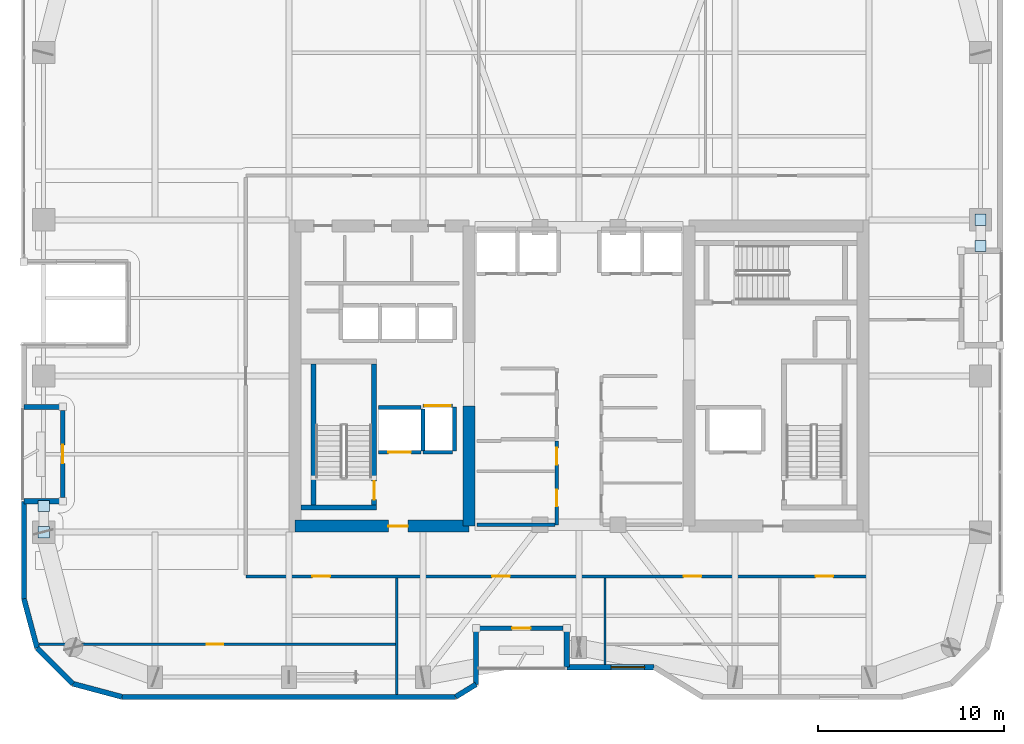
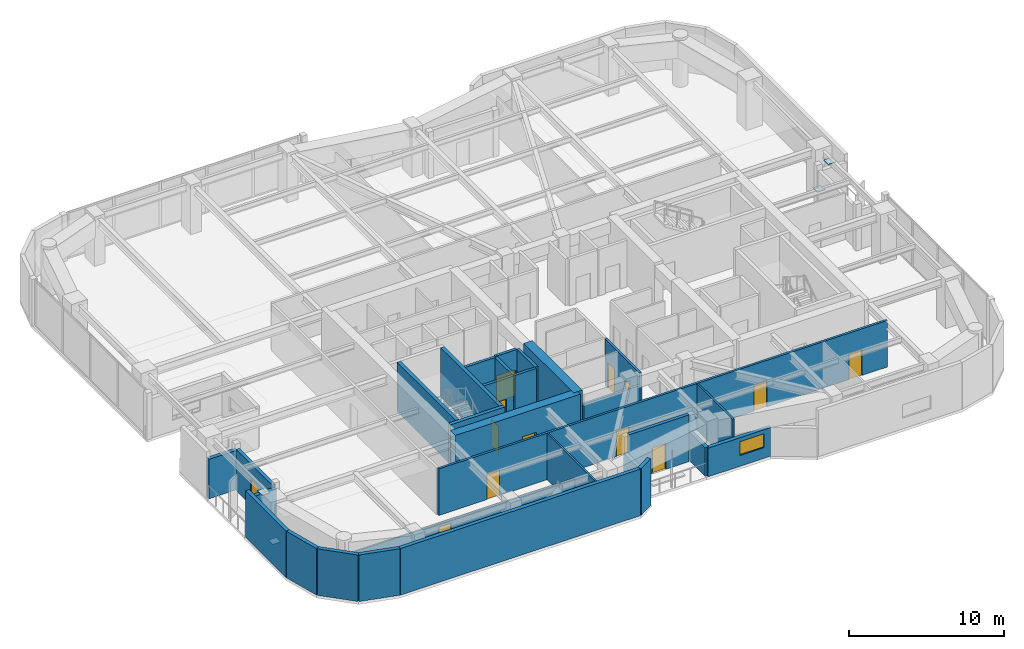
# One storey, part 20 of 26: 30 walls, 13 doors, 4 plates, 1 window, 14 openings.
"""IFC4 building model written with IfcOpenShell, lengths in metres."""

from ifc_helpers import new_model, si_unit, direction, frame, frame_2d, origin, origin_2d, place, context, subcontext, project, spatial, rectangle, extrude, material, layer, layer_set, type_object, element, fill, save


model = new_model("IFC4")

# Units and contexts
model_context = context("Model", 3, precision=1e-05, world=origin(), true_north=direction((0.0, 1.0)))
body_context = subcontext(model_context, "Body", "Model", "MODEL_VIEW")
ifc_project = project(units=[si_unit("LENGTHUNIT", "METRE"), si_unit("AREAUNIT", "SQUARE_METRE"), si_unit("VOLUMEUNIT", "CUBIC_METRE"), si_unit("PLANEANGLEUNIT", "RADIAN"), si_unit("MASSUNIT", "GRAM", prefix="KILO")], contexts=[model_context])

# Site, building, storey
site_placement = place(None, origin())
site = spatial("IfcSite", under=ifc_project, at=site_placement, CompositionType="ELEMENT")
building_placement = place(site_placement, origin())
building = spatial("IfcBuilding", under=site, at=building_placement, Name="Kiyonajd Concourse Tower", CompositionType="ELEMENT")
storey_placement = place(building_placement, frame((0.0, 0.0, 186.300048828125)))
storey = spatial("IfcBuildingStorey", under=building, at=storey_placement, Name="L47", CompositionType="ELEMENT", Elevation=186.300048828125)

# Plates
ifc_material_1 = material(Name="Steel ASTM A572 Grade 50", Category="steel")
ifc_layer_1 = layer(ifc_material_1, 0.028076171875)
ifc_layer_set_1 = layer_set([ifc_layer_1], Name="Steel ASTM A572 Grade 50")
plate_type = type_object("IfcPlateType", Name="PL-CAP-450", PredefinedType="USERDEFINED", material=ifc_layer_set_1)
for number, where, z_axis, x_axis, name in (
    (1, (19.199951171875, 27.595458984375, 0.27587890625), (0.0, 0.0, 1.0), (1.0, 0.0, 0.0), "L47 Hollow Brace End Cap Plate PBW"),
    (2, (19.199951171875, 29.004638671875, 3.32568359375), (0.0, 0.0, 1.0), (1.0, 0.0, 0.0), "L47 Hollow Brace Top Cap Plate PBW"),
    (3, (69.60009765625, 44.404541015625, 0.27587890625), (0.0, 0.0, 1.0), (1.0, 0.0, 0.0), "L47 Hollow Brace End Cap Plate PBE"),
    (4, (69.60009765625, 42.995361328125, 3.32568359375), (0.0, 0.0, 1.0), (1.0, 0.0, 0.0), "L47 Hollow Brace Top Cap Plate PBE"),
):
    element("IfcPlate", number, at=place(storey_placement, frame(where, z_axis=z_axis, x_axis=x_axis)), inside=storey, type_object=plate_type, Name=name, ObjectType="CAP PLATE", PredefinedType="USERDEFINED", context=body_context, shape_type="SweptSolid", body=[
        extrude(rectangle(XDim=0.60791015625, YDim=0.60791015625, at=origin_2d()), origin(), (0.0, 0.0, 1.0), 0.028076171875),
    ])

# Wall
ifc_material_2 = material(Name="Concrete C60/75", Category="concrete")
ifc_layer_2 = layer(ifc_material_2, 0.64990234375)
ifc_layer_set_2 = layer_set([ifc_layer_2], Name="Concrete C60/75")
wall_type_1 = type_object("IfcWallType", Name="WL-CORE-650", PredefinedType="SHEAR", material=ifc_layer_set_2)
wall_1_placement = place(storey_placement, frame((42.074951171875, 27.925048828125, 0.0), z_axis=(0.0, 0.0, 1.0), x_axis=(0.0, 1.0, 0.0)))
element("IfcWall", 5, at=wall_1_placement, inside=storey, type_object=wall_type_1, Name="L47 West Core Inner South Shear Wall", PredefinedType="SHEAR", context=body_context, shape_type="SweptSolid", body=[
    extrude(rectangle(XDim=6.474853515625, YDim=0.64990234375, at=frame_2d((3.2373046875, 0.0))), origin(), (0.0, 0.0, 1.0), 3.89990234375),
])

# Wall, opening, door
wall_2_placement = place(storey_placement, frame((32.72509765625, 27.925048828125, 0.0), z_axis=(0.0, 0.0, 1.0), x_axis=(1.0, 0.0, 0.0)))
wall_2 = element("IfcWall", 6, at=wall_2_placement, inside=storey, type_object=wall_type_1, Name="L47 West Core South Shear Wall", PredefinedType="SHEAR", context=body_context, shape_type="SweptSolid", body=[
    extrude(rectangle(XDim=9.349853515625, YDim=0.64990234375, at=frame_2d((4.6748046875, 0.0))), origin(), (0.0, 0.0, 1.0), 3.89990234375),
])
opening_1_placement = place(wall_2_placement, frame((5.02490234375, 0.0, 0.0)))
opening_1 = element("IfcOpeningElement", 7, at=opening_1_placement, cuts=wall_2, Name="Opening DF5", PredefinedType="OPENING", context=body_context, shape_type="SweptSolid", body=[
    extrude(rectangle(XDim=1.050048828125, YDim=2.0400390625, at=frame_2d((0.52490234375, 1.02001953125))), frame((0.0, 0.3349609375, 0.0), z_axis=(0.0, -1.0, 0.0), x_axis=(1.0, 0.0, 0.0)), (0.0, 0.0, 1.0), 0.669921875),
])
ifc_material_3 = material(Name="Brushed Stainless Steel Cab Assembly", Category="steel")
door_type_1 = type_object("IfcDoorType", Name="DR-FD45-1050", OperationType="NOTDEFINED", PredefinedType="DOOR", material=ifc_material_3)
door_1_placement = place(opening_1_placement, origin())
door_1 = element("IfcDoor", 8, at=door_1_placement, inside=storey, type_object=door_type_1, Name="L47 Firefighting Lift Lobby W Smoke Door", OperationType="SINGLE_SWING_LEFT", OverallHeight=2.0400390625, OverallWidth=1.050048828125, PredefinedType="DOOR", context=body_context, shape_type="SweptSolid", body=[
    extrude(rectangle(XDim=1.050048828125, YDim=2.0400390625, at=frame_2d((0.52490234375, 1.02001953125))), frame((0.0, 0.02490234375, 0.0), z_axis=(0.0, -1.0, 0.0), x_axis=(1.0, 0.0, 0.0)), (0.0, 0.0, 1.0), 0.050048828125),
])
fill(opening_1, door_1)

# Walls
ifc_material_4 = material(Name="Precast concrete C50/60", Category="concrete")
ifc_layer_3 = layer(ifc_material_4, 0.280029296875)
ifc_layer_set_3 = layer_set([ifc_layer_3], Name="Precast concrete C50/60")
wall_type_2 = type_object("IfcWallType", Name="WL-EXT-280", PredefinedType="SOLIDWALL", material=ifc_layer_set_3)
wall_3_placement = place(storey_placement, frame((18.139892578125, 24.018310546875, 0.0), z_axis=(0.0, 0.0, 1.0), x_axis=(0.0, 1.0, 0.0)))
element("IfcWall", 9, at=wall_3_placement, inside=storey, type_object=wall_type_2, Name="L47 Exterior Concrete Frame Wall 00", PredefinedType="SOLIDWALL", context=body_context, shape_type="SweptSolid", body=[
    extrude(rectangle(XDim=5.24169921875, YDim=0.280029296875, at=frame_2d((2.620849609375, 0.0))), origin(), (0.0, 0.0, 1.0), 3.679931640625),
])
for number, where, z_axis, x_axis, name in (
    (10, (18.139892578125, 29.260009765625, 0.0), (0.0, 0.0, 1.0), (1.0, 0.0, 0.0), "L47 Exterior Concrete Frame Wall 01"),
    (11, (20.239990234375, 34.340087890625, 0.0), (0.0, 0.0, 1.0), (-1.0, 0.0, 0.0), "L47 Exterior Concrete Frame Wall 03"),
):
    element("IfcWall", number, at=place(storey_placement, frame(where, z_axis=z_axis, x_axis=x_axis)), inside=storey, type_object=wall_type_2, Name=name, PredefinedType="SOLIDWALL", context=body_context, shape_type="SweptSolid", body=[
        extrude(rectangle(XDim=2.10009765625, YDim=0.280029296875, at=frame_2d((1.050048828125, 0.0))), origin(), (0.0, 0.0, 1.0), 3.115966796875),
    ])

# Wall, opening, window
wall_4_placement = place(storey_placement, frame((52.03955078125, 20.340087890625, 0.0), z_axis=(0.0, 0.0, 1.0), x_axis=(-1.0, 0.0, 0.0)))
wall_4 = element("IfcWall", 12, at=wall_4_placement, inside=storey, type_object=wall_type_2, Name="L47 Exterior Concrete Frame Wall 33", PredefinedType="SOLIDWALL", context=body_context, shape_type="SweptSolid", body=[
    extrude(rectangle(XDim=4.699462890625, YDim=0.280029296875, at=frame_2d((2.349609375, 0.0))), origin(), (0.0, 0.0, 1.0), 2.264892578125),
])
opening_2_placement = place(wall_4_placement, frame((0.514892578125, 0.0, 0.85009765625)))
opening_2 = element("IfcOpeningElement", 13, at=opening_2_placement, cuts=wall_4, Name="Opening WN1", PredefinedType="OPENING", context=body_context, shape_type="SweptSolid", body=[
    extrude(rectangle(XDim=1.800048828125, YDim=1.10009765625, at=frame_2d((0.89990234375, 0.550048828125))), frame((0.0, 0.14990234375, 0.0), z_axis=(0.0, -1.0, 0.0), x_axis=(1.0, 0.0, 0.0)), (0.0, 0.0, 1.0), 0.300048828125),
])
ifc_material_5 = material(Name="Double Low-E Insulated Glass", Category="glass")
window_type = type_object("IfcWindowType", Name="WN-VIS-1800x1100", PartitioningType="SINGLE_PANEL", PredefinedType="WINDOW", material=ifc_material_5)
window_placement = place(opening_2_placement, origin())
window = element("IfcWindow", 14, at=window_placement, inside=storey, type_object=window_type, Name="L47 Modular Facade Vision Window 33", OverallHeight=1.10009765625, OverallWidth=1.800048828125, PartitioningType="SINGLE_PANEL", PredefinedType="WINDOW", context=body_context, shape_type="SweptSolid", body=[
    extrude(rectangle(XDim=1.800048828125, YDim=1.10009765625, at=frame_2d((0.89990234375, 0.550048828125))), frame((0.0, 0.030029296875, 0.0), z_axis=(0.0, -1.0, 0.0), x_axis=(1.0, 0.0, 0.0)), (0.0, 0.0, 1.0), 0.06005859375),
])
fill(opening_2, window)

# Walls
wall_5_placement = place(storey_placement, frame((47.340087890625, 20.340087890625, 0.0), z_axis=(0.0, 0.0, 1.0), x_axis=(0.0, 1.0, 0.0)))
element("IfcWall", 15, at=wall_5_placement, inside=storey, type_object=wall_type_2, Name="L47 Exterior Concrete Frame Wall 34", PredefinedType="SOLIDWALL", context=body_context, shape_type="SweptSolid", body=[
    extrude(rectangle(XDim=2.099853515625, YDim=0.280029296875, at=frame_2d((1.0498046875, 0.0))), origin(), (0.0, 0.0, 1.0), 2.264892578125),
])
wall_6_placement = place(storey_placement, frame((42.4599609375, 22.43994140625, 0.0), z_axis=(0.0, 0.0, 1.0), x_axis=(0.0, -1.0, 0.0)))
element("IfcWall", 16, at=wall_6_placement, inside=storey, type_object=wall_type_2, Name="L47 Exterior Concrete Frame Wall 36", PredefinedType="SOLIDWALL", context=body_context, shape_type="SweptSolid", body=[
    extrude(rectangle(XDim=3.023681640625, YDim=0.280029296875, at=frame_2d((1.51171875, 0.0))), origin(), (0.0, 0.0, 1.0), 2.264892578125),
])
wall_7_placement = place(storey_placement, frame((42.4599609375, 19.416259765625, 0.0), z_axis=(0.0, 0.0, 1.0), x_axis=(-0.851801140441, -0.523865266212, 0.0)))
element("IfcWall", 17, at=wall_7_placement, inside=storey, type_object=wall_type_2, Name="L47 Exterior Concrete Frame Wall 37", PredefinedType="SOLIDWALL", context=body_context, shape_type="SweptSolid", body=[
    extrude(rectangle(XDim=1.291015625, YDim=0.280029296875, at=frame_2d((0.6455078125, 0.0))), origin(), (0.0, 0.0, 1.0), 3.679931640625),
])
wall_8_placement = place(storey_placement, frame((41.3603515625, 18.739990234375, 0.0), z_axis=(0.0, 0.0, 1.0), x_axis=(-1.0, 0.0, 0.0)))
element("IfcWall", 18, at=wall_8_placement, inside=storey, type_object=wall_type_2, Name="L47 Exterior Concrete Frame Wall 38", PredefinedType="SOLIDWALL", context=body_context, shape_type="SweptSolid", body=[
    extrude(rectangle(XDim=17.94189453125, YDim=0.280029296875, at=frame_2d((8.970947265625, 0.0))), origin(), (0.0, 0.0, 1.0), 3.679931640625),
])
wall_9_placement = place(storey_placement, frame((23.41845703125, 18.739990234375, 0.0), z_axis=(0.0, 0.0, 1.0), x_axis=(-0.965971118627, 0.258649952598, 0.0)))
element("IfcWall", 19, at=wall_9_placement, inside=storey, type_object=wall_type_2, Name="L47 Exterior Concrete Frame Wall 39", PredefinedType="SOLIDWALL", context=body_context, shape_type="SweptSolid", body=[
    extrude(rectangle(XDim=2.7392578125, YDim=0.280029296875, at=frame_2d((1.36962890625, 0.0))), origin(), (0.0, 0.0, 1.0), 3.679931640625),
])
wall_10_placement = place(storey_placement, frame((20.7724609375, 19.448486328125, 0.0), z_axis=(0.0, 0.0, 1.0), x_axis=(-0.707106781187, 0.707106781187, 0.0)))
element("IfcWall", 20, at=wall_10_placement, inside=storey, type_object=wall_type_2, Name="L47 Exterior Concrete Frame Wall 40", PredefinedType="SOLIDWALL", context=body_context, shape_type="SweptSolid", body=[
    extrude(rectangle(XDim=2.720947265625, YDim=0.280029296875, at=frame_2d((1.3603515625, 0.0))), origin(), (0.0, 0.0, 1.0), 3.679931640625),
])
wall_11_placement = place(storey_placement, frame((18.848388671875, 21.37255859375, 0.0), z_axis=(0.0, 0.0, 1.0), x_axis=(-0.258672222976, 0.9659651552, 0.0)))
element("IfcWall", 21, at=wall_11_placement, inside=storey, type_object=wall_type_2, Name="L47 Exterior Concrete Frame Wall 41", PredefinedType="SOLIDWALL", context=body_context, shape_type="SweptSolid", body=[
    extrude(rectangle(XDim=2.739013671875, YDim=0.280029296875, at=frame_2d((1.36962890625, 0.0))), origin(), (0.0, 0.0, 1.0), 3.679931640625),
])

# Wall, opening, door
ifc_layer_4 = layer(ifc_material_4, 0.239990234375)
ifc_layer_set_4 = layer_set([ifc_layer_4], Name="Precast concrete C50/60")
wall_type_3 = type_object("IfcWallType", Name="WL-LOG-240", PredefinedType="SOLIDWALL", material=ifc_layer_set_4)
wall_12_placement = place(storey_placement, frame((20.239990234375, 29.455078125, 0.0), z_axis=(0.0, 0.0, 1.0), x_axis=(0.0, 1.0, 0.0)))
wall_12 = element("IfcWall", 22, at=wall_12_placement, inside=storey, type_object=wall_type_3, Name="L47 Recessed Loggia Thermal Wall LOG-W", PredefinedType="SOLIDWALL", context=body_context, shape_type="SweptSolid", body=[
    extrude(rectangle(XDim=4.68994140625, YDim=0.239990234375, at=frame_2d((2.344970703125, 0.0))), origin(), (0.0, 0.0, 1.0), 3.248046875),
])
opening_3_placement = place(wall_12_placement, frame((1.844970703125, 0.0, 0.0)))
opening_3 = element("IfcOpeningElement", 23, at=opening_3_placement, cuts=wall_12, Name="Opening DL1", PredefinedType="OPENING", context=body_context, shape_type="SweptSolid", body=[
    extrude(rectangle(XDim=1.0, YDim=2.02001953125, at=frame_2d((0.5, 1.010009765625))), frame((0.0, 0.1298828125, 0.0), z_axis=(0.0, -1.0, 0.0), x_axis=(1.0, 0.0, 0.0)), (0.0, 0.0, 1.0), 0.260009765625),
])
ifc_material_6 = material(Name="Thermally Broken Anodised Aluminium", Category="aluminium")
door_type_2 = type_object("IfcDoorType", Name="DR-LOG-1000", OperationType="NOTDEFINED", PredefinedType="DOOR", material=ifc_material_6)
door_2_placement = place(opening_3_placement, origin())
door_2 = element("IfcDoor", 24, at=door_2_placement, inside=storey, type_object=door_type_2, Name="L47 Engawa Loggia Access Door LOG-W", OperationType="SINGLE_SWING_LEFT", OverallHeight=2.02001953125, OverallWidth=1.0, PredefinedType="DOOR", context=body_context, shape_type="SweptSolid", body=[
    extrude(rectangle(XDim=1.0, YDim=2.02001953125, at=frame_2d((0.5, 1.010009765625))), frame((0.0, 0.02490234375, 0.0), z_axis=(0.0, -1.0, 0.0), x_axis=(1.0, 0.0, 0.0)), (0.0, 0.0, 1.0), 0.050048828125),
])
fill(opening_3, door_2)

wall_13_placement = place(storey_placement, frame((47.14501953125, 22.43994140625, 0.0), z_axis=(0.0, 0.0, 1.0), x_axis=(-1.0, 0.0, 0.0)))
wall_13 = element("IfcWall", 25, at=wall_13_placement, inside=storey, type_object=wall_type_3, Name="L47 Recessed Loggia Thermal Wall LOG-S", PredefinedType="SOLIDWALL", context=body_context, shape_type="SweptSolid", body=[
    extrude(rectangle(XDim=4.489990234375, YDim=0.239990234375, at=frame_2d((2.2451171875, 0.0))), origin(), (0.0, 0.0, 1.0), 3.679931640625),
])
opening_4_placement = place(wall_13_placement, frame((1.7451171875, 0.0, 0.0)))
opening_4 = element("IfcOpeningElement", 26, at=opening_4_placement, cuts=wall_13, Name="Opening DL1", PredefinedType="OPENING", context=body_context, shape_type="SweptSolid", body=[
    extrude(rectangle(XDim=1.0, YDim=2.02001953125, at=frame_2d((0.5, 1.010009765625))), frame((0.0, 0.1298828125, 0.0), z_axis=(0.0, -1.0, 0.0), x_axis=(1.0, 0.0, 0.0)), (0.0, 0.0, 1.0), 0.260009765625),
])
door_3_placement = place(opening_4_placement, origin())
door_3 = element("IfcDoor", 27, at=door_3_placement, inside=storey, type_object=door_type_2, Name="L47 Engawa Loggia Access Door LOG-S", OperationType="SINGLE_SWING_RIGHT", OverallHeight=2.02001953125, OverallWidth=1.0, PredefinedType="DOOR", context=body_context, shape_type="SweptSolid", body=[
    extrude(rectangle(XDim=1.0, YDim=2.02001953125, at=frame_2d((0.5, 1.010009765625))), frame((0.0, 0.02490234375, 0.0), z_axis=(0.0, -1.0, 0.0), x_axis=(1.0, 0.0, 0.0)), (0.0, 0.0, 1.0), 0.050048828125),
])
fill(opening_4, door_3)

ifc_material_7 = material(Name="Gypsum Board on Cold-Formed Steel Stud", Category="steel")
ifc_layer_5 = layer(ifc_material_7, 0.125)
ifc_layer_set_5 = layer_set([ifc_layer_5], Name="Gypsum Board on Cold-Formed Steel Stud")
wall_type_4 = type_object("IfcWallType", Name="WL-PART-125", PredefinedType="PARTITIONING", material=ifc_layer_set_5)
wall_14_placement = place(storey_placement, frame((18.93798828125, 21.580078125, 0.0), z_axis=(0.0, 0.0, 1.0), x_axis=(1.0, 0.0, 0.0)))
wall_14 = element("IfcWall", 28, at=wall_14_placement, inside=storey, type_object=wall_type_4, Name="L47 Interior Partition Wall", PredefinedType="PARTITIONING", context=body_context, shape_type="SweptSolid", body=[
    extrude(rectangle(XDim=19.261962890625, YDim=0.125, at=frame_2d((9.630859375, 0.0))), origin(), (0.0, 0.0, 1.0), 2.264892578125),
])
opening_5_placement = place(wall_14_placement, frame((9.033935546875, 0.0, 0.0)))
opening_5 = element("IfcOpeningElement", 29, at=opening_5_placement, cuts=wall_14, Name="Opening DI2", PredefinedType="OPENING", context=body_context, shape_type="SweptSolid", body=[
    extrude(rectangle(XDim=0.89990234375, YDim=2.02001953125, at=frame_2d((0.449951171875, 1.010009765625))), frame((0.0, 0.072509765625, 0.0), z_axis=(0.0, -1.0, 0.0), x_axis=(1.0, 0.0, 0.0)), (0.0, 0.0, 1.0), 0.14501953125),
])
ifc_material_8 = material(Name="Natural Oak Acoustic Timber Veneer", Category="wood")
door_type_3 = type_object("IfcDoorType", Name="DR-INT-900", OperationType="NOTDEFINED", PredefinedType="DOOR", material=ifc_material_8)
door_4_placement = place(opening_5_placement, origin())
door_4 = element("IfcDoor", 30, at=door_4_placement, inside=storey, type_object=door_type_3, Name="L47 Interior Door", OperationType="SINGLE_SWING_LEFT", OverallHeight=2.02001953125, OverallWidth=0.89990234375, PredefinedType="DOOR", context=body_context, shape_type="SweptSolid", body=[
    extrude(rectangle(XDim=0.89990234375, YDim=2.02001953125, at=frame_2d((0.449951171875, 1.010009765625))), frame((0.0, 0.02490234375, 0.0), z_axis=(0.0, -1.0, 0.0), x_axis=(1.0, 0.0, 0.0)), (0.0, 0.0, 1.0), 0.050048828125),
])
fill(opening_5, door_4)

# Walls
wall_15_placement = place(storey_placement, frame((38.199951171875, 18.875, 0.0), z_axis=(0.0, 0.0, 1.0), x_axis=(0.0, 1.0, 0.0)))
element("IfcWall", 31, at=wall_15_placement, inside=storey, type_object=wall_type_4, Name="L47 Interior Partition Wall", PredefinedType="PARTITIONING", context=body_context, shape_type="SweptSolid", body=[
    extrude(rectangle(XDim=6.258056640625, YDim=0.125, at=frame_2d((3.12890625, 0.0))), origin(), (0.0, 0.0, 1.0), 3.679931640625),
])
wall_16_placement = place(storey_placement, frame((49.39990234375, 20.47509765625, 0.0), z_axis=(0.0, 0.0, 1.0), x_axis=(0.0, 1.0, 0.0)))
element("IfcWall", 32, at=wall_16_placement, inside=storey, type_object=wall_type_4, Name="L47 Interior Partition Wall", PredefinedType="PARTITIONING", context=body_context, shape_type="SweptSolid", body=[
    extrude(rectangle(XDim=4.657958984375, YDim=0.125, at=frame_2d((2.3291015625, 0.0))), origin(), (0.0, 0.0, 1.0), 3.679931640625),
])

# Wall, opening, door
ifc_layer_6 = layer(ifc_material_7, 0.2099609375)
ifc_layer_set_6 = layer_set([ifc_layer_6], Name="Gypsum Board on Cold-Formed Steel Stud")
wall_type_5 = type_object("IfcWallType", Name="WL-SHAFT-210", PredefinedType="PARTITIONING", material=ifc_layer_set_6)
wall_17_placement = place(storey_placement, frame((37.199951171875, 31.89990234375, 0.0), z_axis=(0.0, 0.0, 1.0), x_axis=(1.0, 0.0, 0.0)))
wall_17 = element("IfcWall", 33, at=wall_17_placement, inside=storey, type_object=wall_type_5, Name="L47 Shaft Enclosure Wall", PredefinedType="PARTITIONING", context=body_context, shape_type="SweptSolid", body=[
    extrude(rectangle(XDim=2.300048828125, YDim=0.2099609375, at=frame_2d((1.14990234375, 0.0))), origin(), (0.0, 0.0, 1.0), 3.679931640625),
])
opening_6_placement = place(wall_17_placement, frame((0.550048828125, 0.0, 0.0)))
opening_6 = element("IfcOpeningElement", 34, at=opening_6_placement, cuts=wall_17, Name="Opening LD2", PredefinedType="OPENING", context=body_context, shape_type="SweptSolid", body=[
    extrude(rectangle(XDim=1.199951171875, YDim=2.0400390625, at=frame_2d((0.60009765625, 1.02001953125))), frame((0.0, 0.114990234375, 0.0), z_axis=(0.0, -1.0, 0.0), x_axis=(1.0, 0.0, 0.0)), (0.0, 0.0, 1.0), 0.22998046875),
])
door_type_4 = type_object("IfcDoorType", Name="DR-LD-1200", OperationType="DOUBLE_DOOR_SLIDING", PredefinedType="DOOR", material=ifc_material_3)
door_5_placement = place(opening_6_placement, origin())
door_5 = element("IfcDoor", 35, at=door_5_placement, inside=storey, type_object=door_type_4, Name="L47 Lift FFL1 Sliding Landing Door", OperationType="DOUBLE_DOOR_SLIDING", OverallHeight=2.0400390625, OverallWidth=1.199951171875, PredefinedType="DOOR", context=body_context, shape_type="SweptSolid", body=[
    extrude(rectangle(XDim=1.199951171875, YDim=2.0400390625, at=frame_2d((0.60009765625, 1.02001953125))), frame((0.0, 0.02490234375, 0.0), z_axis=(0.0, -1.0, 0.0), x_axis=(1.0, 0.0, 0.0)), (0.0, 0.0, 1.0), 0.050048828125),
])
fill(opening_6, door_5)

# Walls
wall_18_placement = place(storey_placement, frame((37.199951171875, 34.300048828125, 0.0), z_axis=(0.0, 0.0, 1.0), x_axis=(1.0, 0.0, 0.0)))
element("IfcWall", 36, at=wall_18_placement, inside=storey, type_object=wall_type_5, Name="L47 Shaft Enclosure Wall", PredefinedType="PARTITIONING", context=body_context, shape_type="SweptSolid", body=[
    extrude(rectangle(XDim=2.300048828125, YDim=0.2099609375, at=frame_2d((1.14990234375, 0.0))), origin(), (0.0, 0.0, 1.0), 3.679931640625),
])
wall_19_placement = place(storey_placement, frame((39.60009765625, 31.9599609375, 0.0), z_axis=(0.0, 0.0, 1.0), x_axis=(0.0, 1.0, 0.0)))
element("IfcWall", 37, at=wall_19_placement, inside=storey, type_object=wall_type_5, Name="L47 Shaft Enclosure Wall", PredefinedType="PARTITIONING", context=body_context, shape_type="SweptSolid", body=[
    extrude(rectangle(XDim=2.280029296875, YDim=0.2099609375, at=frame_2d((1.14013671875, 0.0))), origin(), (0.0, 0.0, 1.0), 3.679931640625),
])

# Wall, opening, door
wall_20_placement = place(storey_placement, frame((39.60009765625, 34.39990234375, 0.0), z_axis=(0.0, 0.0, 1.0), x_axis=(1.0, 0.0, 0.0)))
wall_20 = element("IfcWall", 38, at=wall_20_placement, inside=storey, type_object=wall_type_5, Name="L47 Shaft Enclosure Wall", PredefinedType="PARTITIONING", context=body_context, shape_type="SweptSolid", body=[
    extrude(rectangle(XDim=1.599853515625, YDim=0.2099609375, at=frame_2d((0.7998046875, 0.0))), origin(), (0.0, 0.0, 1.0), 3.679931640625),
])
opening_7_placement = place(wall_20_placement, frame((0.10009765625, 0.0, 0.0)))
opening_7 = element("IfcOpeningElement", 39, at=opening_7_placement, cuts=wall_20, Name="Opening LD3", PredefinedType="OPENING", context=body_context, shape_type="SweptSolid", body=[
    extrude(rectangle(XDim=1.39990234375, YDim=2.06005859375, at=frame_2d((0.699951171875, 1.030029296875))), frame((0.0, 0.114990234375, 0.0), z_axis=(0.0, -1.0, 0.0), x_axis=(1.0, 0.0, 0.0)), (0.0, 0.0, 1.0), 0.22998046875),
])
door_type_5 = type_object("IfcDoorType", Name="DR-LD-1400", OperationType="DOUBLE_DOOR_SLIDING", PredefinedType="DOOR", material=ifc_material_3)
door_6_placement = place(opening_7_placement, origin())
door_6 = element("IfcDoor", 40, at=door_6_placement, inside=storey, type_object=door_type_5, Name="L47 Lift SVL1 Sliding Landing Door", OperationType="DOUBLE_DOOR_SLIDING", OverallHeight=2.06005859375, OverallWidth=1.39990234375, PredefinedType="DOOR", context=body_context, shape_type="SweptSolid", body=[
    extrude(rectangle(XDim=1.39990234375, YDim=2.06005859375, at=frame_2d((0.699951171875, 1.030029296875))), frame((0.0, 0.02490234375, 0.0), z_axis=(0.0, -1.0, 0.0), x_axis=(1.0, 0.0, 0.0)), (0.0, 0.0, 1.0), 0.050048828125),
])
fill(opening_7, door_6)

# Walls
wall_21_placement = place(storey_placement, frame((39.60009765625, 31.89990234375, 0.0), z_axis=(0.0, 0.0, 1.0), x_axis=(1.0, 0.0, 0.0)))
element("IfcWall", 41, at=wall_21_placement, inside=storey, type_object=wall_type_5, Name="L47 Shaft Enclosure Wall", PredefinedType="PARTITIONING", context=body_context, shape_type="SweptSolid", body=[
    extrude(rectangle(XDim=1.599853515625, YDim=0.2099609375, at=frame_2d((0.7998046875, 0.0))), origin(), (0.0, 0.0, 1.0), 3.679931640625),
])
wall_22_placement = place(storey_placement, frame((41.300048828125, 31.9599609375, 0.0), z_axis=(0.0, 0.0, 1.0), x_axis=(0.0, 1.0, 0.0)))
element("IfcWall", 42, at=wall_22_placement, inside=storey, type_object=wall_type_5, Name="L47 Shaft Enclosure Wall", PredefinedType="PARTITIONING", context=body_context, shape_type="SweptSolid", body=[
    extrude(rectangle(XDim=2.380126953125, YDim=0.2099609375, at=frame_2d((1.18994140625, 0.0))), origin(), (0.0, 0.0, 1.0), 3.679931640625),
])

# Wall, openings, doors
ifc_layer_7 = layer(ifc_material_7, 0.169921875)
ifc_layer_set_7 = layer_set([ifc_layer_7], Name="Gypsum Board on Cold-Formed Steel Stud")
wall_type_6 = type_object("IfcWallType", Name="WL-SMK-170", PredefinedType="PARTITIONING", material=ifc_layer_set_7)
wall_23_placement = place(storey_placement, frame((46.800048828125, 28.0, 0.0), z_axis=(0.0, 0.0, 1.0), x_axis=(0.0, 1.0, 0.0)))
wall_23 = element("IfcWall", 43, at=wall_23_placement, inside=storey, type_object=wall_type_6, Name="L47 Interior Partition Wall", PredefinedType="PARTITIONING", context=body_context, shape_type="SweptSolid", body=[
    extrude(rectangle(XDim=4.5, YDim=0.169921875, at=frame_2d((2.25, 0.0))), origin(), (0.0, 0.0, 1.0), 3.679931640625),
])
opening_8_placement = place(wall_23_placement, frame((0.989990234375, 0.0, 0.0)))
opening_8 = element("IfcOpeningElement", 44, at=opening_8_placement, cuts=wall_23, Name="Opening DF4", PredefinedType="OPENING", context=body_context, shape_type="SweptSolid", body=[
    extrude(rectangle(XDim=0.89990234375, YDim=2.02001953125, at=frame_2d((0.449951171875, 1.010009765625))), frame((0.0, 0.094970703125, 0.0), z_axis=(0.0, -1.0, 0.0), x_axis=(1.0, 0.0, 0.0)), (0.0, 0.0, 1.0), 0.18994140625),
])
opening_9_placement = place(wall_23_placement, frame((3.239990234375, 0.0, 0.0)))
opening_9 = element("IfcOpeningElement", 45, at=opening_9_placement, cuts=wall_23, Name="Opening DF4", PredefinedType="OPENING", context=body_context, shape_type="SweptSolid", body=[
    extrude(rectangle(XDim=0.89990234375, YDim=2.02001953125, at=frame_2d((0.449951171875, 1.010009765625))), frame((0.0, 0.094970703125, 0.0), z_axis=(0.0, -1.0, 0.0), x_axis=(1.0, 0.0, 0.0)), (0.0, 0.0, 1.0), 0.18994140625),
])
door_type_6 = type_object("IfcDoorType", Name="DR-FD60-900", OperationType="NOTDEFINED", PredefinedType="DOOR", material=ifc_material_3)
door_7_placement = place(opening_8_placement, origin())
door_7 = element("IfcDoor", 46, at=door_7_placement, inside=storey, type_object=door_type_6, Name="L47 Interior Door", OperationType="SINGLE_SWING_LEFT", OverallHeight=2.02001953125, OverallWidth=0.89990234375, PredefinedType="DOOR", context=body_context, shape_type="SweptSolid", body=[
    extrude(rectangle(XDim=0.89990234375, YDim=2.02001953125, at=frame_2d((0.449951171875, 1.010009765625))), frame((0.0, 0.02490234375, 0.0), z_axis=(0.0, -1.0, 0.0), x_axis=(1.0, 0.0, 0.0)), (0.0, 0.0, 1.0), 0.050048828125),
])
fill(opening_8, door_7)
door_8_placement = place(opening_9_placement, origin())
door_8 = element("IfcDoor", 47, at=door_8_placement, inside=storey, type_object=door_type_6, Name="L47 Interior Door", OperationType="SINGLE_SWING_RIGHT", OverallHeight=2.02001953125, OverallWidth=0.89990234375, PredefinedType="DOOR", context=body_context, shape_type="SweptSolid", body=[
    extrude(rectangle(XDim=0.89990234375, YDim=2.02001953125, at=frame_2d((0.449951171875, 1.010009765625))), frame((0.0, 0.02490234375, 0.0), z_axis=(0.0, -1.0, 0.0), x_axis=(1.0, 0.0, 0.0)), (0.0, 0.0, 1.0), 0.050048828125),
])
fill(opening_9, door_8)

# Wall
wall_24_placement = place(storey_placement, frame((42.5, 28.0, 0.0), z_axis=(0.0, 0.0, 1.0), x_axis=(1.0, 0.0, 0.0)))
element("IfcWall", 48, at=wall_24_placement, inside=storey, type_object=wall_type_6, Name="L47 Interior Partition Wall", PredefinedType="PARTITIONING", context=body_context, shape_type="SweptSolid", body=[
    extrude(rectangle(XDim=4.212890625, YDim=0.169921875, at=frame_2d((2.1064453125, 0.0))), origin(), (0.0, 0.0, 1.0), 2.764892578125),
])

# Wall, openings, doors
wall_25_placement = place(storey_placement, frame((30.074951171875, 25.219970703125, 0.0), z_axis=(0.0, 0.0, 1.0), x_axis=(1.0, 0.0, 0.0)))
wall_25 = element("IfcWall", 49, at=wall_25_placement, inside=storey, type_object=wall_type_6, Name="L47 Interior Partition Wall", PredefinedType="PARTITIONING", context=body_context, shape_type="SweptSolid", body=[
    extrude(rectangle(XDim=33.525146484375, YDim=0.169921875, at=frame_2d((16.7626953125, 0.0))), origin(), (0.0, 0.0, 1.0), 3.679931640625),
])
opening_10_placement = place(wall_25_placement, frame((3.587890625, 0.0, 0.0)))
opening_10 = element("IfcOpeningElement", 50, at=opening_10_placement, cuts=wall_25, Name="Opening DI1", PredefinedType="OPENING", context=body_context, shape_type="SweptSolid", body=[
    extrude(rectangle(XDim=0.949951171875, YDim=2.0400390625, at=frame_2d((0.47509765625, 1.02001953125))), frame((0.0, 0.094970703125, 0.0), z_axis=(0.0, -1.0, 0.0), x_axis=(1.0, 0.0, 0.0)), (0.0, 0.0, 1.0), 0.18994140625),
])
opening_11_placement = place(wall_25_placement, frame((13.25, 0.0, 0.0)))
opening_11 = element("IfcOpeningElement", 51, at=opening_11_placement, cuts=wall_25, Name="Opening DI1", PredefinedType="OPENING", context=body_context, shape_type="SweptSolid", body=[
    extrude(rectangle(XDim=0.949951171875, YDim=2.0400390625, at=frame_2d((0.47509765625, 1.02001953125))), frame((0.0, 0.094970703125, 0.0), z_axis=(0.0, -1.0, 0.0), x_axis=(1.0, 0.0, 0.0)), (0.0, 0.0, 1.0), 0.18994140625),
])
opening_12_placement = place(wall_25_placement, frame((23.550048828125, 0.0, 0.0)))
opening_12 = element("IfcOpeningElement", 52, at=opening_12_placement, cuts=wall_25, Name="Opening DI1", PredefinedType="OPENING", context=body_context, shape_type="SweptSolid", body=[
    extrude(rectangle(XDim=0.949951171875, YDim=2.0400390625, at=frame_2d((0.47509765625, 1.02001953125))), frame((0.0, 0.094970703125, 0.0), z_axis=(0.0, -1.0, 0.0), x_axis=(1.0, 0.0, 0.0)), (0.0, 0.0, 1.0), 0.18994140625),
])
opening_13_placement = place(wall_25_placement, frame((30.64990234375, 0.0, 0.0)))
opening_13 = element("IfcOpeningElement", 53, at=opening_13_placement, cuts=wall_25, Name="Opening DI1", PredefinedType="OPENING", context=body_context, shape_type="SweptSolid", body=[
    extrude(rectangle(XDim=0.949951171875, YDim=2.0400390625, at=frame_2d((0.47509765625, 1.02001953125))), frame((0.0, 0.094970703125, 0.0), z_axis=(0.0, -1.0, 0.0), x_axis=(1.0, 0.0, 0.0)), (0.0, 0.0, 1.0), 0.18994140625),
])
door_type_7 = type_object("IfcDoorType", Name="DR-INT-950", OperationType="NOTDEFINED", PredefinedType="DOOR", material=ifc_material_8)
door_9_placement = place(opening_10_placement, origin())
door_9 = element("IfcDoor", 54, at=door_9_placement, inside=storey, type_object=door_type_7, Name="L47 Interior Door", OperationType="SINGLE_SWING_RIGHT", OverallHeight=2.0400390625, OverallWidth=0.949951171875, PredefinedType="DOOR", context=body_context, shape_type="SweptSolid", body=[
    extrude(rectangle(XDim=0.949951171875, YDim=2.0400390625, at=frame_2d((0.47509765625, 1.02001953125))), frame((0.0, 0.02490234375, 0.0), z_axis=(0.0, -1.0, 0.0), x_axis=(1.0, 0.0, 0.0)), (0.0, 0.0, 1.0), 0.050048828125),
])
fill(opening_10, door_9)
door_10_placement = place(opening_11_placement, origin())
door_10 = element("IfcDoor", 55, at=door_10_placement, inside=storey, type_object=door_type_7, Name="L47 Interior Door", OperationType="SINGLE_SWING_LEFT", OverallHeight=2.0400390625, OverallWidth=0.949951171875, PredefinedType="DOOR", context=body_context, shape_type="SweptSolid", body=[
    extrude(rectangle(XDim=0.949951171875, YDim=2.0400390625, at=frame_2d((0.47509765625, 1.02001953125))), frame((0.0, 0.02490234375, 0.0), z_axis=(0.0, -1.0, 0.0), x_axis=(1.0, 0.0, 0.0)), (0.0, 0.0, 1.0), 0.050048828125),
])
fill(opening_11, door_10)
door_11_placement = place(opening_12_placement, origin())
door_11 = element("IfcDoor", 56, at=door_11_placement, inside=storey, type_object=door_type_7, Name="L47 Interior Door", OperationType="SINGLE_SWING_LEFT", OverallHeight=2.0400390625, OverallWidth=0.949951171875, PredefinedType="DOOR", context=body_context, shape_type="SweptSolid", body=[
    extrude(rectangle(XDim=0.949951171875, YDim=2.0400390625, at=frame_2d((0.47509765625, 1.02001953125))), frame((0.0, 0.02490234375, 0.0), z_axis=(0.0, -1.0, 0.0), x_axis=(1.0, 0.0, 0.0)), (0.0, 0.0, 1.0), 0.050048828125),
])
fill(opening_12, door_11)
door_12_placement = place(opening_13_placement, origin())
door_12 = element("IfcDoor", 57, at=door_12_placement, inside=storey, type_object=door_type_7, Name="L47 Interior Door", OperationType="SINGLE_SWING_RIGHT", OverallHeight=2.0400390625, OverallWidth=0.949951171875, PredefinedType="DOOR", context=body_context, shape_type="SweptSolid", body=[
    extrude(rectangle(XDim=0.949951171875, YDim=2.0400390625, at=frame_2d((0.47509765625, 1.02001953125))), frame((0.0, 0.02490234375, 0.0), z_axis=(0.0, -1.0, 0.0), x_axis=(1.0, 0.0, 0.0)), (0.0, 0.0, 1.0), 0.050048828125),
])
fill(opening_13, door_12)

# Walls
ifc_material_9 = material(Name="Concrete C50/60", Category="concrete")
ifc_layer_8 = layer(ifc_material_9, 0.260009765625)
ifc_layer_set_8 = layer_set([ifc_layer_8], Name="Concrete C50/60")
wall_type_7 = type_object("IfcWallType", Name="WL-STAIR-260", PredefinedType="SHEAR", material=ifc_layer_set_8)
wall_26_placement = place(storey_placement, frame((33.050048828125, 28.919921875, 0.0), z_axis=(0.0, 0.0, 1.0), x_axis=(1.0, 0.0, 0.0)))
element("IfcWall", 58, at=wall_26_placement, inside=storey, type_object=wall_type_7, Name="L47 Stair ST1 Structural South Wall", PredefinedType="SHEAR", context=body_context, shape_type="SweptSolid", body=[
    extrude(rectangle(XDim=4.06005859375, YDim=0.260009765625, at=frame_2d((2.030029296875, 0.0))), origin(), (0.0, 0.0, 1.0), 3.89990234375),
])
wall_27_placement = place(storey_placement, frame((33.719970703125, 29.050048828125, 0.0), z_axis=(0.0, 0.0, 1.0), x_axis=(0.0, 1.0, 0.0)))
element("IfcWall", 59, at=wall_27_placement, inside=storey, type_object=wall_type_7, Name="L47 Stair ST1 Structural West Wall", PredefinedType="SHEAR", context=body_context, shape_type="SweptSolid", body=[
    extrude(rectangle(XDim=7.599853515625, YDim=0.260009765625, at=frame_2d((3.7998046875, 0.0))), origin(), (0.0, 0.0, 1.0), 3.89990234375),
])

# Wall, opening, door
wall_28_placement = place(storey_placement, frame((36.97998046875, 29.050048828125, 0.0), z_axis=(0.0, 0.0, 1.0), x_axis=(0.0, 1.0, 0.0)))
wall_28 = element("IfcWall", 60, at=wall_28_placement, inside=storey, type_object=wall_type_7, Name="L47 Stair ST1 Structural East Wall", PredefinedType="SHEAR", context=body_context, shape_type="SweptSolid", body=[
    extrude(rectangle(XDim=7.599853515625, YDim=0.260009765625, at=frame_2d((3.7998046875, 0.0))), origin(), (0.0, 0.0, 1.0), 3.89990234375),
])
opening_14_placement = place(wall_28_placement, frame((0.300048828125, 0.0, 0.0)))
opening_14 = element("IfcOpeningElement", 61, at=opening_14_placement, cuts=wall_28, Name="Opening DF1", PredefinedType="OPENING", context=body_context, shape_type="SweptSolid", body=[
    extrude(rectangle(XDim=1.0, YDim=2.0400390625, at=frame_2d((0.5, 1.02001953125))), frame((0.0, 0.139892578125, 0.0), z_axis=(0.0, -1.0, 0.0), x_axis=(1.0, 0.0, 0.0)), (0.0, 0.0, 1.0), 0.280029296875),
])
door_type_8 = type_object("IfcDoorType", Name="DR-FD90-1000", OperationType="NOTDEFINED", PredefinedType="DOOR", material=ifc_material_3)
door_13_placement = place(opening_14_placement, origin())
door_13 = element("IfcDoor", 62, at=door_13_placement, inside=storey, type_object=door_type_8, Name="L47 Stair ST1 FSAE Door", OperationType="SINGLE_SWING_LEFT", OverallHeight=2.0400390625, OverallWidth=1.0, PredefinedType="DOOR", context=body_context, shape_type="SweptSolid", body=[
    extrude(rectangle(XDim=1.0, YDim=2.0400390625, at=frame_2d((0.5, 1.02001953125))), frame((0.0, 0.02490234375, 0.0), z_axis=(0.0, -1.0, 0.0), x_axis=(1.0, 0.0, 0.0)), (0.0, 0.0, 1.0), 0.050048828125),
])
fill(opening_14, door_13)

save(model, "model.ifc")
